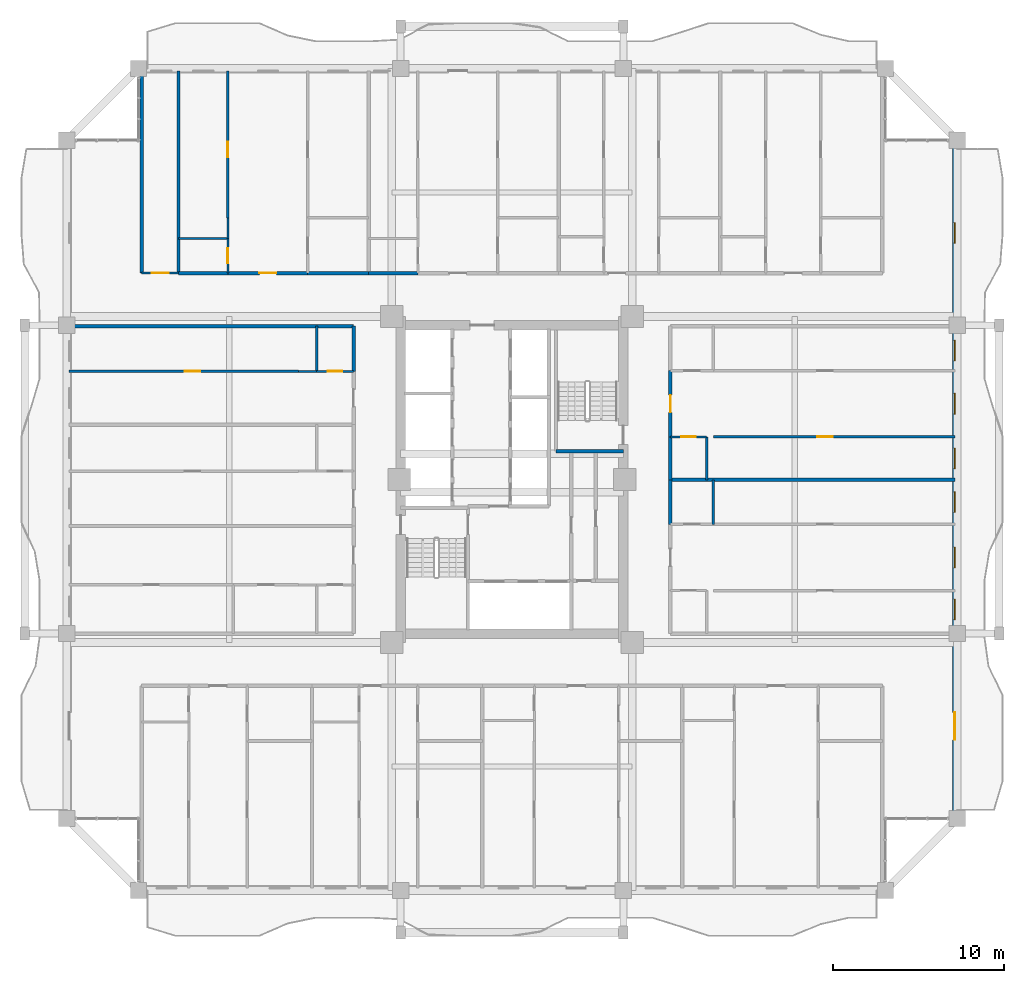
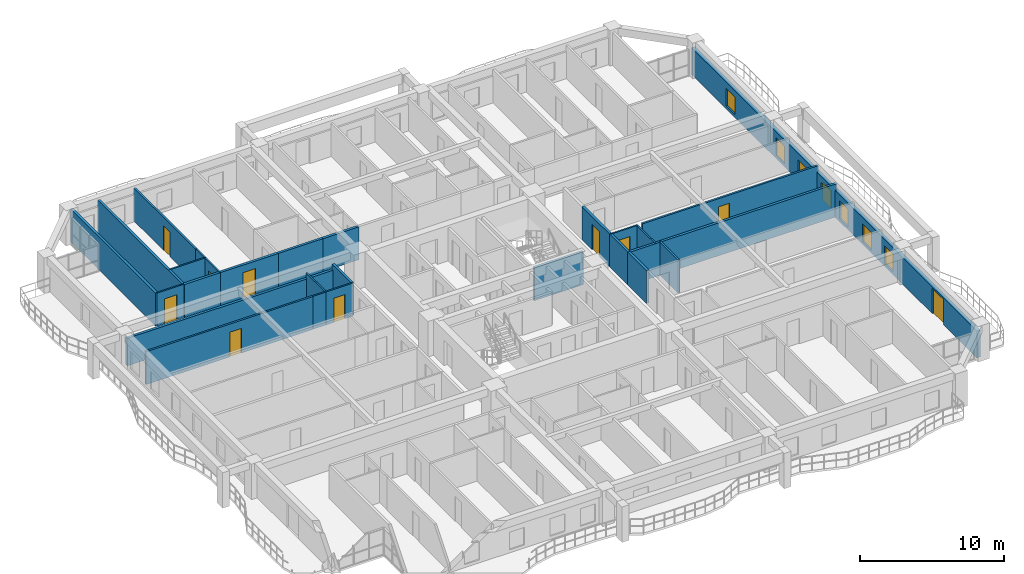
# One storey, part 18 of 26: 27 walls, 10 doors, 7 windows, 17 openings.
"""IFC4 building model written with IfcOpenShell, lengths in metres."""

from ifc_helpers import new_model, si_unit, direction, frame, frame_2d, origin, place, context, subcontext, project, spatial, rectangle, extrude, source, transform, mapped, material, layer, layer_set, type_object, element, fill, save


model = new_model("IFC4")

# Units and contexts
model_context = context("Model", 3, precision=1e-05, world=origin(), true_north=direction((0.0, 1.0)))
body_context = subcontext(model_context, "Body", "Model", "MODEL_VIEW")
ifc_project = project(units=[si_unit("LENGTHUNIT", "METRE"), si_unit("AREAUNIT", "SQUARE_METRE"), si_unit("VOLUMEUNIT", "CUBIC_METRE"), si_unit("PLANEANGLEUNIT", "RADIAN"), si_unit("MASSUNIT", "GRAM", prefix="KILO")], contexts=[model_context])

# Site, building, storey
site_placement = place(None, origin())
site = spatial("IfcSite", under=ifc_project, at=site_placement, CompositionType="ELEMENT")
building_placement = place(site_placement, origin())
building = spatial("IfcBuilding", under=site, at=building_placement, Name="Saelheon Loggia Tower", CompositionType="ELEMENT")
storey_placement = place(building_placement, frame((0.0, 0.0, 89.85009765625)))
storey = spatial("IfcBuildingStorey", under=building, at=storey_placement, Name="L28", CompositionType="ELEMENT", Elevation=89.85009765625)

# Wall, openings, windows, door
ifc_material_1 = material(Name="Architectural Precast Concrete C40/50", Category="concrete")
ifc_layer_1 = layer(ifc_material_1, 0.280029296875)
ifc_layer_set_1 = layer_set([ifc_layer_1], Name="Architectural Precast Concrete C40/50")
wall_type_1 = type_object("IfcWallType", Name="Wall_Ext_Loggia_280", PredefinedType="SOLIDWALL", material=ifc_layer_set_1)
wall_1_placement = place(storey_placement, frame((63.860107421875, 7.199951171875, 0.0), z_axis=(0.0, 0.0, 1.0), x_axis=(0.0, 1.0, 0.0)))
wall_1 = element("IfcWall", 1, at=wall_1_placement, inside=storey, type_object=wall_type_1, Name="L28 East Loggia Inner Wall", PredefinedType="SOLIDWALL", context=body_context, shape_type="SweptSolid", body=[
    extrude(rectangle(XDim=39.60009765625, YDim=0.280029296875, at=frame_2d((19.800048828125, 0.0))), origin(), (0.0, 0.0, 1.0), 2.27978515625),
])
opening_1_placement = place(wall_1_placement, frame((6.2001953125, 0.0, 0.0), z_axis=(0.0, 0.0, 1.0), x_axis=(-1.0, 0.0, 0.0)))
opening_1 = element("IfcOpeningElement", 2, at=opening_1_placement, cuts=wall_1, Name="Opening DLG-1", PredefinedType="OPENING", context=body_context, shape_type="SweptSolid", body=[
    extrude(rectangle(XDim=1.60009765625, YDim=2.14990234375, at=frame_2d((0.800048828125, 1.074951171875))), frame((0.0, 0.152099609375, 0.0), z_axis=(0.0, -1.0, 0.0), x_axis=(1.0, 0.0, 0.0)), (0.0, 0.0, 1.0), 0.303955078125),
])
opening_2_placement = place(wall_1_placement, frame((11.614013671875, 0.0, 0.25)))
opening_2 = element("IfcOpeningElement", 3, at=opening_2_placement, cuts=wall_1, Name="Opening WN-03", PredefinedType="OPENING", context=body_context, shape_type="SweptSolid", body=[
    extrude(rectangle(XDim=1.199951171875, YDim=1.5, at=frame_2d((0.60009765625, 0.75))), frame((0.0, 0.152099609375, 0.0), z_axis=(0.0, -1.0, 0.0), x_axis=(1.0, 0.0, 0.0)), (0.0, 0.0, 1.0), 0.303955078125),
])
opening_3_placement = place(wall_1_placement, frame((14.64404296875, 0.0, 0.25)))
opening_3 = element("IfcOpeningElement", 4, at=opening_3_placement, cuts=wall_1, Name="Opening WN-03", PredefinedType="OPENING", context=body_context, shape_type="SweptSolid", body=[
    extrude(rectangle(XDim=1.199951171875, YDim=1.5, at=frame_2d((0.60009765625, 0.75))), frame((0.0, 0.152099609375, 0.0), z_axis=(0.0, -1.0, 0.0), x_axis=(1.0, 0.0, 0.0)), (0.0, 0.0, 1.0), 0.303955078125),
])
opening_4_placement = place(wall_1_placement, frame((17.875, 0.0, 0.25)))
opening_4 = element("IfcOpeningElement", 5, at=opening_4_placement, cuts=wall_1, Name="Opening WN-03", PredefinedType="OPENING", context=body_context, shape_type="SweptSolid", body=[
    extrude(rectangle(XDim=1.199951171875, YDim=1.5, at=frame_2d((0.60009765625, 0.75))), frame((0.0, 0.152099609375, 0.0), z_axis=(0.0, -1.0, 0.0), x_axis=(1.0, 0.0, 0.0)), (0.0, 0.0, 1.0), 0.303955078125),
])
opening_5_placement = place(wall_1_placement, frame((20.431396484375, 0.0, 0.25)))
opening_5 = element("IfcOpeningElement", 6, at=opening_5_placement, cuts=wall_1, Name="Opening WN-03", PredefinedType="OPENING", context=body_context, shape_type="SweptSolid", body=[
    extrude(rectangle(XDim=1.199951171875, YDim=1.5, at=frame_2d((0.60009765625, 0.75))), frame((0.0, 0.152099609375, 0.0), z_axis=(0.0, -1.0, 0.0), x_axis=(1.0, 0.0, 0.0)), (0.0, 0.0, 1.0), 0.303955078125),
])
opening_6_placement = place(wall_1_placement, frame((23.618896484375, 0.0, 0.25)))
opening_6 = element("IfcOpeningElement", 7, at=opening_6_placement, cuts=wall_1, Name="Opening WN-03", PredefinedType="OPENING", context=body_context, shape_type="SweptSolid", body=[
    extrude(rectangle(XDim=1.199951171875, YDim=1.5, at=frame_2d((0.60009765625, 0.75))), frame((0.0, 0.152099609375, 0.0), z_axis=(0.0, -1.0, 0.0), x_axis=(1.0, 0.0, 0.0)), (0.0, 0.0, 1.0), 0.303955078125),
])
opening_7_placement = place(wall_1_placement, frame((26.717529296875, 0.0, 0.25)))
opening_7 = element("IfcOpeningElement", 8, at=opening_7_placement, cuts=wall_1, Name="Opening WN-03", PredefinedType="OPENING", context=body_context, shape_type="SweptSolid", body=[
    extrude(rectangle(XDim=1.199951171875, YDim=1.5, at=frame_2d((0.60009765625, 0.75))), frame((0.0, 0.152099609375, 0.0), z_axis=(0.0, -1.0, 0.0), x_axis=(1.0, 0.0, 0.0)), (0.0, 0.0, 1.0), 0.303955078125),
])
opening_8_placement = place(wall_1_placement, frame((33.60009765625, 0.0, 0.25)))
opening_8 = element("IfcOpeningElement", 9, at=opening_8_placement, cuts=wall_1, Name="Opening WN-03", PredefinedType="OPENING", context=body_context, shape_type="SweptSolid", body=[
    extrude(rectangle(XDim=1.199951171875, YDim=1.5, at=frame_2d((0.60009765625, 0.75))), frame((0.0, 0.152099609375, 0.0), z_axis=(0.0, -1.0, 0.0), x_axis=(1.0, 0.0, 0.0)), (0.0, 0.0, 1.0), 0.303955078125),
])
ifc_material_2 = material(Name="Thermal-Break Aluminium and Triple Low-E Glass", Category="aluminium")
window_type = type_object("IfcWindowType", Name="Win_Bedroom_1200x1500", PartitioningType="SINGLE_PANEL", PredefinedType="WINDOW", material=ifc_material_2)
shared_shape_1 = source(origin(), body_context, "Body", "SweptSolid", [
    extrude(rectangle(XDim=1.199951171875, YDim=1.5, at=frame_2d((0.60009765625, 0.75))), frame((0.0, 0.030029296875, 0.0), z_axis=(0.0, -1.0, 0.0), x_axis=(1.0, 0.0, 0.0)), (0.0, 0.0, 1.0), 0.06005859375),
])
window_1_placement = place(opening_2_placement, origin())
window_1 = element("IfcWindow", 10, at=window_1_placement, inside=storey, type_object=window_type, Name="L28 E Dwelling Window 2", OverallHeight=1.5, OverallWidth=1.199951171875, PartitioningType="SINGLE_PANEL", PredefinedType="WINDOW", context=body_context, shape_type="MappedRepresentation", body=[
    mapped(shared_shape_1, transform((0.0, 0.0, 0.0), scale=1.0)),
])
fill(opening_2, window_1)
window_2_placement = place(opening_3_placement, origin())
window_2 = element("IfcWindow", 11, at=window_2_placement, inside=storey, type_object=window_type, Name="L28 E Dwelling Window 3", OverallHeight=1.5, OverallWidth=1.199951171875, PartitioningType="SINGLE_PANEL", PredefinedType="WINDOW", context=body_context, shape_type="MappedRepresentation", body=[
    mapped(shared_shape_1, transform((0.0, 0.0, 0.0), scale=1.0)),
])
fill(opening_3, window_2)
window_3_placement = place(opening_4_placement, origin())
window_3 = element("IfcWindow", 12, at=window_3_placement, inside=storey, type_object=window_type, Name="L28 E Dwelling Window 4", OverallHeight=1.5, OverallWidth=1.199951171875, PartitioningType="SINGLE_PANEL", PredefinedType="WINDOW", context=body_context, shape_type="MappedRepresentation", body=[
    mapped(shared_shape_1, transform((0.0, 0.0, 0.0), scale=1.0)),
])
fill(opening_4, window_3)
window_4_placement = place(opening_5_placement, origin())
window_4 = element("IfcWindow", 13, at=window_4_placement, inside=storey, type_object=window_type, Name="L28 E Dwelling Window 5", OverallHeight=1.5, OverallWidth=1.199951171875, PartitioningType="SINGLE_PANEL", PredefinedType="WINDOW", context=body_context, shape_type="MappedRepresentation", body=[
    mapped(shared_shape_1, transform((0.0, 0.0, 0.0), scale=1.0)),
])
fill(opening_5, window_4)
window_5_placement = place(opening_6_placement, origin())
window_5 = element("IfcWindow", 14, at=window_5_placement, inside=storey, type_object=window_type, Name="L28 E Dwelling Window 6", OverallHeight=1.5, OverallWidth=1.199951171875, PartitioningType="SINGLE_PANEL", PredefinedType="WINDOW", context=body_context, shape_type="MappedRepresentation", body=[
    mapped(shared_shape_1, transform((0.0, 0.0, 0.0), scale=1.0)),
])
fill(opening_6, window_5)
window_6_placement = place(opening_7_placement, origin())
window_6 = element("IfcWindow", 15, at=window_6_placement, inside=storey, type_object=window_type, Name="L28 E Dwelling Window 7", OverallHeight=1.5, OverallWidth=1.199951171875, PartitioningType="SINGLE_PANEL", PredefinedType="WINDOW", context=body_context, shape_type="MappedRepresentation", body=[
    mapped(shared_shape_1, transform((0.0, 0.0, 0.0), scale=1.0)),
])
fill(opening_7, window_6)
window_7_placement = place(opening_8_placement, origin())
window_7 = element("IfcWindow", 16, at=window_7_placement, inside=storey, type_object=window_type, Name="L28 E Dwelling Window 8", OverallHeight=1.5, OverallWidth=1.199951171875, PartitioningType="SINGLE_PANEL", PredefinedType="WINDOW", context=body_context, shape_type="MappedRepresentation", body=[
    mapped(shared_shape_1, transform((0.0, 0.0, 0.0), scale=1.0)),
])
fill(opening_8, window_7)
ifc_material_3 = material(Name="Thermal-Break Aluminium Sliding Glazed Door", Category="aluminium")
door_type_1 = type_object("IfcDoorType", Name="Door_LoggiaSlide_1600", OperationType="SLIDING_TO_LEFT", PredefinedType="DOOR", material=ifc_material_3)
shared_shape_2 = source(origin(), body_context, "Body", "SweptSolid", [
    extrude(rectangle(XDim=1.60009765625, YDim=2.14990234375, at=frame_2d((0.800048828125, 1.074951171875))), frame((0.0, 0.02490234375, 0.0), z_axis=(0.0, -1.0, 0.0), x_axis=(1.0, 0.0, 0.0)), (0.0, 0.0, 1.0), 0.050048828125),
])
door_1_placement = place(opening_1_placement, origin())
door_1 = element("IfcDoor", 17, at=door_1_placement, inside=storey, type_object=door_type_1, Name="L28 E Loggia Access Door", OperationType="SLIDING_TO_LEFT", OverallHeight=2.14990234375, OverallWidth=1.60009765625, PredefinedType="DOOR", context=body_context, shape_type="MappedRepresentation", body=[
    mapped(shared_shape_2, transform((0.0, 0.0, 0.0), scale=1.0)),
])
fill(opening_1, door_1)

# Wall, opening, door
ifc_material_4 = material(Name="Lightweight Autoclaved Aerated Concrete Block and Acoustic Gypsum", Category="concrete")
ifc_layer_2 = layer(ifc_material_4, 0.14990234375)
ifc_layer_set_2 = layer_set([ifc_layer_2], Name="Lightweight Autoclaved Aerated Concrete Block and Acoustic Gypsum")
wall_type_2 = type_object("IfcWallType", Name="Wall_Part_150", PredefinedType="PARTITIONING", material=ifc_layer_set_2)
wall_2_placement = place(storey_placement, frame((21.41455078125, 42.27001953125, 0.0), z_axis=(0.0, 0.0, 1.0), x_axis=(0.0, 1.0, 0.0)))
wall_2 = element("IfcWall", 18, at=wall_2_placement, inside=storey, type_object=wall_type_2, Name="L28 N Partition U12", PredefinedType="PARTITIONING", context=body_context, shape_type="SweptSolid", body=[
    extrude(rectangle(XDim=8.580078125, YDim=0.14990234375, at=frame_2d((4.2900390625, 0.0))), origin(), (0.0, 0.0, 1.0), 2.789794921875),
])
opening_9_placement = place(wall_2_placement, frame((3.5400390625, 0.0, 0.0)))
opening_9 = element("IfcOpeningElement", 19, at=opening_9_placement, cuts=wall_2, Name="Opening D-IN2", PredefinedType="OPENING", context=body_context, shape_type="SweptSolid", body=[
    extrude(rectangle(XDim=0.89990234375, YDim=2.10009765625, at=frame_2d((0.449951171875, 1.050048828125))), frame((0.0, 0.0869140625, 0.0), z_axis=(0.0, -1.0, 0.0), x_axis=(1.0, 0.0, 0.0)), (0.0, 0.0, 1.0), 0.173828125),
])
ifc_material_5 = material(Name="Engineered Oak Flush Door", Category="timber")
door_type_2 = type_object("IfcDoorType", Name="Door_Int_900", OperationType="NOTDEFINED", PredefinedType="DOOR", material=ifc_material_5)
shared_shape_3 = source(origin(), body_context, "Body", "SweptSolid", [
    extrude(rectangle(XDim=0.89990234375, YDim=2.10009765625, at=frame_2d((0.449951171875, 1.050048828125))), frame((0.0, 0.02490234375, 0.0), z_axis=(0.0, -1.0, 0.0), x_axis=(1.0, 0.0, 0.0)), (0.0, 0.0, 1.0), 0.050048828125),
])
door_2_placement = place(opening_9_placement, origin())
door_2 = element("IfcDoor", 20, at=door_2_placement, inside=storey, type_object=door_type_2, Name="Unit U05 Bedroom 2 Door", OperationType="SINGLE_SWING_RIGHT", OverallHeight=2.10009765625, OverallWidth=0.89990234375, PredefinedType="DOOR", context=body_context, shape_type="MappedRepresentation", body=[
    mapped(shared_shape_3, transform((0.0, 0.0, 0.0), scale=1.0)),
])
fill(opening_9, door_2)

wall_3_placement = place(storey_placement, frame((25.530029296875, 33.307861328125, 0.0), z_axis=(0.0, 0.0, 1.0), x_axis=(-1.0, 0.0, 0.0)))
wall_3 = element("IfcWall", 21, at=wall_3_placement, inside=storey, type_object=wall_type_2, Name="L28 W Partition U24", PredefinedType="PARTITIONING", context=body_context, shape_type="SweptSolid", body=[
    extrude(rectangle(XDim=13.380126953125, YDim=0.14990234375, at=frame_2d((6.68994140625, 0.0))), origin(), (0.0, 0.0, 1.0), 2.789794921875),
])
opening_10_placement = place(wall_3_placement, frame((5.739990234375, 0.0, 0.0)))
opening_10 = element("IfcOpeningElement", 22, at=opening_10_placement, cuts=wall_3, Name="Opening D-IN2", PredefinedType="OPENING", context=body_context, shape_type="SweptSolid", body=[
    extrude(rectangle(XDim=0.89990234375, YDim=2.10009765625, at=frame_2d((0.449951171875, 1.050048828125))), frame((0.0, 0.0869140625, 0.0), z_axis=(0.0, -1.0, 0.0), x_axis=(1.0, 0.0, 0.0)), (0.0, 0.0, 1.0), 0.173828125),
])
door_3_placement = place(opening_10_placement, origin())
door_3 = element("IfcDoor", 23, at=door_3_placement, inside=storey, type_object=door_type_2, Name="Unit U11 Kitchen Door", OperationType="SINGLE_SWING_LEFT", OverallHeight=2.10009765625, OverallWidth=0.89990234375, PredefinedType="DOOR", context=body_context, shape_type="MappedRepresentation", body=[
    mapped(shared_shape_3, transform((0.0, 0.0, 0.0), scale=1.0)),
])
fill(opening_10, door_3)

# Wall
wall_4_placement = place(storey_placement, frame((49.75, 24.375, 0.0), z_axis=(0.0, 0.0, 1.0), x_axis=(0.0, 1.0, 0.0)))
element("IfcWall", 24, at=wall_4_placement, inside=storey, type_object=wall_type_2, Name="L28 E Partition V07", PredefinedType="PARTITIONING", context=body_context, shape_type="SweptSolid", body=[
    extrude(rectangle(XDim=2.60009765625, YDim=0.14990234375, at=frame_2d((1.300048828125, 0.0))), origin(), (0.0, 0.0, 1.0), 2.789794921875),
])

# Wall, opening, door
wall_5_placement = place(storey_placement, frame((49.75, 29.488037109375, 0.0), z_axis=(0.0, 0.0, 1.0), x_axis=(1.0, 0.0, 0.0)))
wall_5 = element("IfcWall", 25, at=wall_5_placement, inside=storey, type_object=wall_type_2, Name="L28 E Partition U19", PredefinedType="PARTITIONING", context=body_context, shape_type="SweptSolid", body=[
    extrude(rectangle(XDim=14.10009765625, YDim=0.14990234375, at=frame_2d((7.050048828125, 0.0))), origin(), (0.0, 0.0, 1.0), 2.789794921875),
])
opening_11_placement = place(wall_5_placement, frame((6.070068359375, 0.0, 0.0)))
opening_11 = element("IfcOpeningElement", 26, at=opening_11_placement, cuts=wall_5, Name="Opening D-IN2", PredefinedType="OPENING", context=body_context, shape_type="SweptSolid", body=[
    extrude(rectangle(XDim=0.89990234375, YDim=2.10009765625, at=frame_2d((0.449951171875, 1.050048828125))), frame((0.0, 0.0869140625, 0.0), z_axis=(0.0, -1.0, 0.0), x_axis=(1.0, 0.0, 0.0)), (0.0, 0.0, 1.0), 0.173828125),
])
door_4_placement = place(opening_11_placement, origin())
door_4 = element("IfcDoor", 27, at=door_4_placement, inside=storey, type_object=door_type_2, Name="Unit U13 Kitchen Door", OperationType="SINGLE_SWING_LEFT", OverallHeight=2.10009765625, OverallWidth=0.89990234375, PredefinedType="DOOR", context=body_context, shape_type="MappedRepresentation", body=[
    mapped(shared_shape_3, transform((0.0, 0.0, 0.0), scale=1.0)),
])
fill(opening_11, door_4)

# Walls
ifc_material_6 = material(Name="Double Acoustic Stud and Fireboard Partition", Category="gypsum")
ifc_layer_3 = layer(ifc_material_6, 0.199951171875)
ifc_layer_set_3 = layer_set([ifc_layer_3], Name="Double Acoustic Stud and Fireboard Partition")
wall_type_3 = type_object("IfcWallType", Name="Wall_Party_200", PredefinedType="PARTITIONING", material=ifc_layer_set_3)
for number, where, z_axis, x_axis, name in (
    (28, (16.3798828125, 39.050048828125, 0.0), (0.0, 0.0, 1.0), (0.0, 1.0, 0.0), "L28 N Partition U01"),
    (29, (18.530029296875, 39.050048828125, 0.0), (0.0, 0.0, 1.0), (0.0, 1.0, 0.0), "L28 N Partition U03"),
):
    element("IfcWall", number, at=place(storey_placement, frame(where, z_axis=z_axis, x_axis=x_axis)), inside=storey, type_object=wall_type_3, Name=name, PredefinedType="PARTITIONING", context=body_context, shape_type="SweptSolid", body=[
        extrude(rectangle(XDim=11.800048828125, YDim=0.199951171875, at=frame_2d((5.89990234375, 0.0))), origin(), (0.0, 0.0, 1.0), 2.789794921875),
    ])
wall_6_placement = place(storey_placement, frame((18.530029296875, 39.050048828125, 0.0), z_axis=(0.0, 0.0, 1.0), x_axis=(1.0, 0.0, 0.0)))
element("IfcWall", 30, at=wall_6_placement, inside=storey, type_object=wall_type_3, Name="L28 N Partition V05", PredefinedType="PARTITIONING", context=body_context, shape_type="SweptSolid", body=[
    extrude(rectangle(XDim=2.884521484375, YDim=0.199951171875, at=frame_2d((1.4423828125, 0.0))), origin(), (0.0, 0.0, 1.0), 2.789794921875),
])

# Wall, opening, door
wall_7_placement = place(storey_placement, frame((21.41455078125, 39.050048828125, 0.0), z_axis=(0.0, 0.0, 1.0), x_axis=(1.0, 0.0, 0.0)))
wall_7 = element("IfcWall", 31, at=wall_7_placement, inside=storey, type_object=wall_type_3, Name="L28 N Partition V06", PredefinedType="PARTITIONING", context=body_context, shape_type="SweptSolid", body=[
    extrude(rectangle(XDim=4.65966796875, YDim=0.199951171875, at=frame_2d((2.329833984375, 0.0))), origin(), (0.0, 0.0, 1.0), 2.789794921875),
])
opening_12_placement = place(wall_7_placement, frame((1.829833984375, 0.0, 0.0)))
opening_12 = element("IfcOpeningElement", 32, at=opening_12_placement, cuts=wall_7, Name="Opening D-FD1", PredefinedType="OPENING", context=body_context, shape_type="SweptSolid", body=[
    extrude(rectangle(XDim=1.0, YDim=2.14990234375, at=frame_2d((0.5, 1.074951171875))), frame((0.0, 0.112060546875, 0.0), z_axis=(0.0, -1.0, 0.0), x_axis=(1.0, 0.0, 0.0)), (0.0, 0.0, 1.0), 0.223876953125),
])
ifc_material_7 = material(Name="Fire-Rated Engineered Timber Entrance Door", Category="wood")
door_type_3 = type_object("IfcDoorType", Name="Door_Flat_FD30S", OperationType="NOTDEFINED", PredefinedType="DOOR", material=ifc_material_7)
shared_shape_4 = source(origin(), body_context, "Body", "SweptSolid", [
    extrude(rectangle(XDim=1.0, YDim=2.14990234375, at=frame_2d((0.5, 1.074951171875))), frame((0.0, 0.02490234375, 0.0), z_axis=(0.0, -1.0, 0.0), x_axis=(1.0, 0.0, 0.0)), (0.0, 0.0, 1.0), 0.050048828125),
])
door_5_placement = place(opening_12_placement, origin())
door_5 = element("IfcDoor", 33, at=door_5_placement, inside=storey, type_object=door_type_3, Name="Unit U05 Entrance Door", OperationType="SINGLE_SWING_RIGHT", OverallHeight=2.14990234375, OverallWidth=1.0, PredefinedType="DOOR", context=body_context, shape_type="MappedRepresentation", body=[
    mapped(shared_shape_4, transform((0.0, 0.0, 0.0), scale=1.0)),
])
fill(opening_12, door_5)

# Walls
wall_8_placement = place(storey_placement, frame((26.07421875, 39.050048828125, 0.0), z_axis=(0.0, 0.0, 1.0), x_axis=(1.0, 0.0, 0.0)))
element("IfcWall", 34, at=wall_8_placement, inside=storey, type_object=wall_type_3, Name="L28 N Partition V07", PredefinedType="PARTITIONING", context=body_context, shape_type="SweptSolid", body=[
    extrude(rectangle(XDim=3.550048828125, YDim=0.199951171875, at=frame_2d((1.77490234375, 0.0))), origin(), (0.0, 0.0, 1.0), 2.789794921875),
])
wall_9_placement = place(storey_placement, frame((29.624267578125, 39.050048828125, 0.0), z_axis=(0.0, 0.0, 1.0), x_axis=(1.0, 0.0, 0.0)))
element("IfcWall", 35, at=wall_9_placement, inside=storey, type_object=wall_type_3, Name="L28 N Partition V16", PredefinedType="PARTITIONING", context=body_context, shape_type="SweptSolid", body=[
    extrude(rectangle(XDim=2.884521484375, YDim=0.199951171875, at=frame_2d((1.4423828125, 0.0))), origin(), (0.0, 0.0, 1.0), 2.789794921875),
])
wall_10_placement = place(storey_placement, frame((28.75, 35.949951171875, 0.0), z_axis=(0.0, 0.0, 1.0), x_axis=(-1.0, 0.0, 0.0)))
element("IfcWall", 36, at=wall_10_placement, inside=storey, type_object=wall_type_3, Name="L28 W Partition U02", PredefinedType="PARTITIONING", context=body_context, shape_type="SweptSolid", body=[
    extrude(rectangle(XDim=16.60009765625, YDim=0.199951171875, at=frame_2d((8.300048828125, 0.0))), origin(), (0.0, 0.0, 1.0), 2.33984375),
])
wall_11_placement = place(storey_placement, frame((28.75, 33.307861328125, 0.0), z_axis=(0.0, 0.0, 1.0), x_axis=(0.0, 1.0, 0.0)))
element("IfcWall", 37, at=wall_11_placement, inside=storey, type_object=wall_type_3, Name="L28 W Partition V20", PredefinedType="PARTITIONING", context=body_context, shape_type="SweptSolid", body=[
    extrude(rectangle(XDim=2.64208984375, YDim=0.199951171875, at=frame_2d((1.321044921875, 0.0))), origin(), (0.0, 0.0, 1.0), 2.789794921875),
])
wall_12_placement = place(storey_placement, frame((47.25, 24.375, 0.0), z_axis=(0.0, 0.0, 1.0), x_axis=(0.0, 1.0, 0.0)))
element("IfcWall", 38, at=wall_12_placement, inside=storey, type_object=wall_type_3, Name="L28 E Partition V05", PredefinedType="PARTITIONING", context=body_context, shape_type="SweptSolid", body=[
    extrude(rectangle(XDim=2.60009765625, YDim=0.199951171875, at=frame_2d((1.300048828125, 0.0))), origin(), (0.0, 0.0, 1.0), 2.789794921875),
])
wall_13_placement = place(storey_placement, frame((47.25, 26.97509765625, 0.0), z_axis=(0.0, 0.0, 1.0), x_axis=(1.0, 0.0, 0.0)))
element("IfcWall", 39, at=wall_13_placement, inside=storey, type_object=wall_type_3, Name="L28 E Partition U12", PredefinedType="PARTITIONING", context=body_context, shape_type="SweptSolid", body=[
    extrude(rectangle(XDim=16.60009765625, YDim=0.199951171875, at=frame_2d((8.300048828125, 0.0))), origin(), (0.0, 0.0, 1.0), 2.789794921875),
])
wall_14_placement = place(storey_placement, frame((47.25, 26.97509765625, 0.0), z_axis=(0.0, 0.0, 1.0), x_axis=(0.0, 1.0, 0.0)))
element("IfcWall", 40, at=wall_14_placement, inside=storey, type_object=wall_type_3, Name="L28 E Partition V13", PredefinedType="PARTITIONING", context=body_context, shape_type="SweptSolid", body=[
    extrude(rectangle(XDim=2.512939453125, YDim=0.199951171875, at=frame_2d((1.25634765625, 0.0))), origin(), (0.0, 0.0, 1.0), 2.789794921875),
])

# Wall, opening, door
wall_15_placement = place(storey_placement, frame((47.25, 29.488037109375, 0.0), z_axis=(0.0, 0.0, 1.0), x_axis=(0.0, 1.0, 0.0)))
wall_15 = element("IfcWall", 41, at=wall_15_placement, inside=storey, type_object=wall_type_3, Name="L28 E Partition V14", PredefinedType="PARTITIONING", context=body_context, shape_type="SweptSolid", body=[
    extrude(rectangle(XDim=3.862060546875, YDim=0.199951171875, at=frame_2d((1.93115234375, 0.0))), origin(), (0.0, 0.0, 1.0), 2.789794921875),
])
opening_13_placement = place(wall_15_placement, frame((1.430908203125, 0.0, 0.0)))
opening_13 = element("IfcOpeningElement", 42, at=opening_13_placement, cuts=wall_15, Name="Opening D-FD1", PredefinedType="OPENING", context=body_context, shape_type="SweptSolid", body=[
    extrude(rectangle(XDim=1.0, YDim=2.14990234375, at=frame_2d((0.5, 1.074951171875))), frame((0.0, 0.112060546875, 0.0), z_axis=(0.0, -1.0, 0.0), x_axis=(1.0, 0.0, 0.0)), (0.0, 0.0, 1.0), 0.223876953125),
])
door_6_placement = place(opening_13_placement, origin())
door_6 = element("IfcDoor", 43, at=door_6_placement, inside=storey, type_object=door_type_3, Name="Unit U13 Entrance Door", OperationType="SINGLE_SWING_LEFT", OverallHeight=2.14990234375, OverallWidth=1.0, PredefinedType="DOOR", context=body_context, shape_type="MappedRepresentation", body=[
    mapped(shared_shape_4, transform((0.0, 0.0, 0.0), scale=1.0)),
])
fill(opening_13, door_6)

# Wall
ifc_material_8 = material(Name="Concrete C45/55", Category="concrete")
ifc_layer_4 = layer(ifc_material_8, 0.199951171875)
ifc_layer_set_4 = layer_set([ifc_layer_4], Name="Concrete C45/55")
wall_type_4 = type_object("IfcWallType", Name="Wall_StairShaft_RC200", PredefinedType="SOLIDWALL", material=ifc_layer_set_4)
wall_16_placement = place(storey_placement, frame((40.570068359375, 28.64990234375, 0.0), z_axis=(0.0, 0.0, 1.0), x_axis=(1.0, 0.0, 0.0)))
element("IfcWall", 44, at=wall_16_placement, inside=storey, type_object=wall_type_4, Name="L28 Stair ST2 South Wall", PredefinedType="SOLIDWALL", context=body_context, shape_type="SweptSolid", body=[
    extrude(rectangle(XDim=3.929931640625, YDim=0.199951171875, at=frame_2d((1.96484375, 0.0))), origin(), (0.0, 0.0, 1.0), 2.789794921875),
])

# Wall, opening, door
ifc_material_9 = material(Name="Moisture-Resistant Cement Board Partition", Category="gypsum")
ifc_layer_5 = layer(ifc_material_9, 0.1201171875)
ifc_layer_set_5 = layer_set([ifc_layer_5], Name="Moisture-Resistant Cement Board Partition")
wall_type_5 = type_object("IfcWallType", Name="Wall_WetPart_120", PredefinedType="PARTITIONING", material=ifc_layer_set_5)
wall_17_placement = place(storey_placement, frame((16.3798828125, 39.050048828125, 0.0), z_axis=(0.0, 0.0, 1.0), x_axis=(1.0, 0.0, 0.0)))
wall_17 = element("IfcWall", 45, at=wall_17_placement, inside=storey, type_object=wall_type_5, Name="L28 N Partition V04", PredefinedType="PARTITIONING", context=body_context, shape_type="SweptSolid", body=[
    extrude(rectangle(XDim=2.150146484375, YDim=0.1201171875, at=frame_2d((1.0751953125, 0.0))), origin(), (0.0, 0.0, 1.0), 2.789794921875),
])
opening_14_placement = place(wall_17_placement, frame((0.574951171875, 0.0, 0.0)))
opening_14 = element("IfcOpeningElement", 46, at=opening_14_placement, cuts=wall_17, Name="Opening D-AC1", PredefinedType="OPENING", context=body_context, shape_type="SweptSolid", body=[
    extrude(rectangle(XDim=1.0, YDim=2.10009765625, at=frame_2d((0.5, 1.050048828125))), frame((0.0, 0.072021484375, 0.0), z_axis=(0.0, -1.0, 0.0), x_axis=(1.0, 0.0, 0.0)), (0.0, 0.0, 1.0), 0.14404296875),
])
ifc_material_10 = material(Name="Accessible Laminate Flush Door", Category="timber")
door_type_4 = type_object("IfcDoorType", Name="Door_Acc_1000", OperationType="NOTDEFINED", PredefinedType="DOOR", material=ifc_material_10)
shared_shape_5 = source(origin(), body_context, "Body", "SweptSolid", [
    extrude(rectangle(XDim=1.0, YDim=2.10009765625, at=frame_2d((0.5, 1.050048828125))), frame((0.0, 0.02490234375, 0.0), z_axis=(0.0, -1.0, 0.0), x_axis=(1.0, 0.0, 0.0)), (0.0, 0.0, 1.0), 0.050048828125),
])
door_7_placement = place(opening_14_placement, origin())
door_7 = element("IfcDoor", 47, at=door_7_placement, inside=storey, type_object=door_type_4, Name="L28 Floor Accessible WC Door", OperationType="SINGLE_SWING_LEFT", OverallHeight=2.10009765625, OverallWidth=1.0, PredefinedType="DOOR", context=body_context, shape_type="MappedRepresentation", body=[
    mapped(shared_shape_5, transform((0.0, 0.0, 0.0), scale=1.0)),
])
fill(opening_14, door_7)

# Wall
wall_18_placement = place(storey_placement, frame((18.530029296875, 41.070068359375, 0.0), z_axis=(0.0, 0.0, 1.0), x_axis=(1.0, 0.0, 0.0)))
element("IfcWall", 48, at=wall_18_placement, inside=storey, type_object=wall_type_5, Name="L28 N Partition V08", PredefinedType="PARTITIONING", context=body_context, shape_type="SweptSolid", body=[
    extrude(rectangle(XDim=2.884521484375, YDim=0.1201171875, at=frame_2d((1.4423828125, 0.0))), origin(), (0.0, 0.0, 1.0), 2.789794921875),
])

# Wall, opening, door
wall_19_placement = place(storey_placement, frame((21.41455078125, 39.050048828125, 0.0), z_axis=(0.0, 0.0, 1.0), x_axis=(0.0, 1.0, 0.0)))
wall_19 = element("IfcWall", 49, at=wall_19_placement, inside=storey, type_object=wall_type_5, Name="L28 N Partition U10", PredefinedType="PARTITIONING", context=body_context, shape_type="SweptSolid", body=[
    extrude(rectangle(XDim=2.02001953125, YDim=0.1201171875, at=frame_2d((1.010009765625, 0.0))), origin(), (0.0, 0.0, 1.0), 2.789794921875),
])
opening_15_placement = place(wall_19_placement, frame((0.5849609375, 0.0, 0.0)))
opening_15 = element("IfcOpeningElement", 50, at=opening_15_placement, cuts=wall_19, Name="Opening D-BT1", PredefinedType="OPENING", context=body_context, shape_type="SweptSolid", body=[
    extrude(rectangle(XDim=0.85009765625, YDim=2.050048828125, at=frame_2d((0.425048828125, 1.02490234375))), frame((0.0, 0.072021484375, 0.0), z_axis=(0.0, -1.0, 0.0), x_axis=(1.0, 0.0, 0.0)), (0.0, 0.0, 1.0), 0.14404296875),
])
ifc_material_11 = material(Name="Moisture-Resistant Laminate Timber Door", Category="wood")
door_type_5 = type_object("IfcDoorType", Name="Door_Bath_850", OperationType="NOTDEFINED", PredefinedType="DOOR", material=ifc_material_11)
shared_shape_6 = source(origin(), body_context, "Body", "SweptSolid", [
    extrude(rectangle(XDim=0.85009765625, YDim=2.050048828125, at=frame_2d((0.425048828125, 1.02490234375))), frame((0.0, 0.02490234375, 0.0), z_axis=(0.0, -1.0, 0.0), x_axis=(1.0, 0.0, 0.0)), (0.0, 0.0, 1.0), 0.050048828125),
])
door_8_placement = place(opening_15_placement, origin())
door_8 = element("IfcDoor", 51, at=door_8_placement, inside=storey, type_object=door_type_5, Name="Unit U05 Bathroom Door", OperationType="SINGLE_SWING_LEFT", OverallHeight=2.050048828125, OverallWidth=0.85009765625, PredefinedType="DOOR", context=body_context, shape_type="MappedRepresentation", body=[
    mapped(shared_shape_6, transform((0.0, 0.0, 0.0), scale=1.0)),
])
fill(opening_15, door_8)

# Wall
wall_20_placement = place(storey_placement, frame((21.41455078125, 41.070068359375, 0.0), z_axis=(0.0, 0.0, 1.0), x_axis=(0.0, 1.0, 0.0)))
element("IfcWall", 52, at=wall_20_placement, inside=storey, type_object=wall_type_5, Name="L28 N Partition U11", PredefinedType="PARTITIONING", context=body_context, shape_type="SweptSolid", body=[
    extrude(rectangle(XDim=1.199951171875, YDim=0.1201171875, at=frame_2d((0.60009765625, 0.0))), origin(), (0.0, 0.0, 1.0), 2.789794921875),
])

# Wall, opening, door
wall_21_placement = place(storey_placement, frame((28.75, 33.307861328125, 0.0), z_axis=(0.0, 0.0, 1.0), x_axis=(-1.0, 0.0, 0.0)))
wall_21 = element("IfcWall", 53, at=wall_21_placement, inside=storey, type_object=wall_type_5, Name="L28 W Partition U21", PredefinedType="PARTITIONING", context=body_context, shape_type="SweptSolid", body=[
    extrude(rectangle(XDim=2.14990234375, YDim=0.1201171875, at=frame_2d((1.074951171875, 0.0))), origin(), (0.0, 0.0, 1.0), 2.789794921875),
])
opening_16_placement = place(wall_21_placement, frame((0.64990234375, 0.0, 0.0)))
opening_16 = element("IfcOpeningElement", 54, at=opening_16_placement, cuts=wall_21, Name="Opening D-BT1", PredefinedType="OPENING", context=body_context, shape_type="SweptSolid", body=[
    extrude(rectangle(XDim=0.85009765625, YDim=2.050048828125, at=frame_2d((0.425048828125, 1.02490234375))), frame((0.0, 0.072021484375, 0.0), z_axis=(0.0, -1.0, 0.0), x_axis=(1.0, 0.0, 0.0)), (0.0, 0.0, 1.0), 0.14404296875),
])
door_9_placement = place(opening_16_placement, origin())
door_9 = element("IfcDoor", 55, at=door_9_placement, inside=storey, type_object=door_type_5, Name="Unit U11 Bathroom Door", OperationType="SINGLE_SWING_RIGHT", OverallHeight=2.050048828125, OverallWidth=0.85009765625, PredefinedType="DOOR", context=body_context, shape_type="MappedRepresentation", body=[
    mapped(shared_shape_6, transform((0.0, 0.0, 0.0), scale=1.0)),
])
fill(opening_16, door_9)

# Walls
wall_22_placement = place(storey_placement, frame((26.60009765625, 33.307861328125, 0.0), z_axis=(0.0, 0.0, 1.0), x_axis=(-1.0, 0.0, 0.0)))
element("IfcWall", 56, at=wall_22_placement, inside=storey, type_object=wall_type_5, Name="L28 W Partition U22", PredefinedType="PARTITIONING", context=body_context, shape_type="SweptSolid", body=[
    extrude(rectangle(XDim=1.070068359375, YDim=0.1201171875, at=frame_2d((0.53515625, 0.0))), origin(), (0.0, 0.0, 1.0), 2.789794921875),
])
wall_23_placement = place(storey_placement, frame((26.60009765625, 33.307861328125, 0.0), z_axis=(0.0, 0.0, 1.0), x_axis=(0.0, 1.0, 0.0)))
element("IfcWall", 57, at=wall_23_placement, inside=storey, type_object=wall_type_5, Name="L28 W Partition V23", PredefinedType="PARTITIONING", context=body_context, shape_type="SweptSolid", body=[
    extrude(rectangle(XDim=2.64208984375, YDim=0.1201171875, at=frame_2d((1.321044921875, 0.0))), origin(), (0.0, 0.0, 1.0), 2.789794921875),
])
wall_24_placement = place(storey_placement, frame((49.3701171875, 26.97509765625, 0.0), z_axis=(0.0, 0.0, 1.0), x_axis=(0.0, 1.0, 0.0)))
element("IfcWall", 58, at=wall_24_placement, inside=storey, type_object=wall_type_5, Name="L28 E Partition V16", PredefinedType="PARTITIONING", context=body_context, shape_type="SweptSolid", body=[
    extrude(rectangle(XDim=2.512939453125, YDim=0.1201171875, at=frame_2d((1.25634765625, 0.0))), origin(), (0.0, 0.0, 1.0), 2.789794921875),
])

# Wall, opening, door
wall_25_placement = place(storey_placement, frame((47.25, 29.488037109375, 0.0), z_axis=(0.0, 0.0, 1.0), x_axis=(1.0, 0.0, 0.0)))
wall_25 = element("IfcWall", 59, at=wall_25_placement, inside=storey, type_object=wall_type_5, Name="L28 E Partition U18", PredefinedType="PARTITIONING", context=body_context, shape_type="SweptSolid", body=[
    extrude(rectangle(XDim=2.1201171875, YDim=0.1201171875, at=frame_2d((1.06005859375, 0.0))), origin(), (0.0, 0.0, 1.0), 2.789794921875),
])
opening_17_placement = place(wall_25_placement, frame((0.635009765625, 0.0, 0.0)))
opening_17 = element("IfcOpeningElement", 60, at=opening_17_placement, cuts=wall_25, Name="Opening D-BT1", PredefinedType="OPENING", context=body_context, shape_type="SweptSolid", body=[
    extrude(rectangle(XDim=0.85009765625, YDim=2.050048828125, at=frame_2d((0.425048828125, 1.02490234375))), frame((0.0, 0.072021484375, 0.0), z_axis=(0.0, -1.0, 0.0), x_axis=(1.0, 0.0, 0.0)), (0.0, 0.0, 1.0), 0.14404296875),
])
door_10_placement = place(opening_17_placement, origin())
door_10 = element("IfcDoor", 61, at=door_10_placement, inside=storey, type_object=door_type_5, Name="Unit U13 Bathroom Door", OperationType="SINGLE_SWING_RIGHT", OverallHeight=2.050048828125, OverallWidth=0.85009765625, PredefinedType="DOOR", context=body_context, shape_type="MappedRepresentation", body=[
    mapped(shared_shape_6, transform((0.0, 0.0, 0.0), scale=1.0)),
])
fill(opening_17, door_10)

save(model, "model.ifc")
